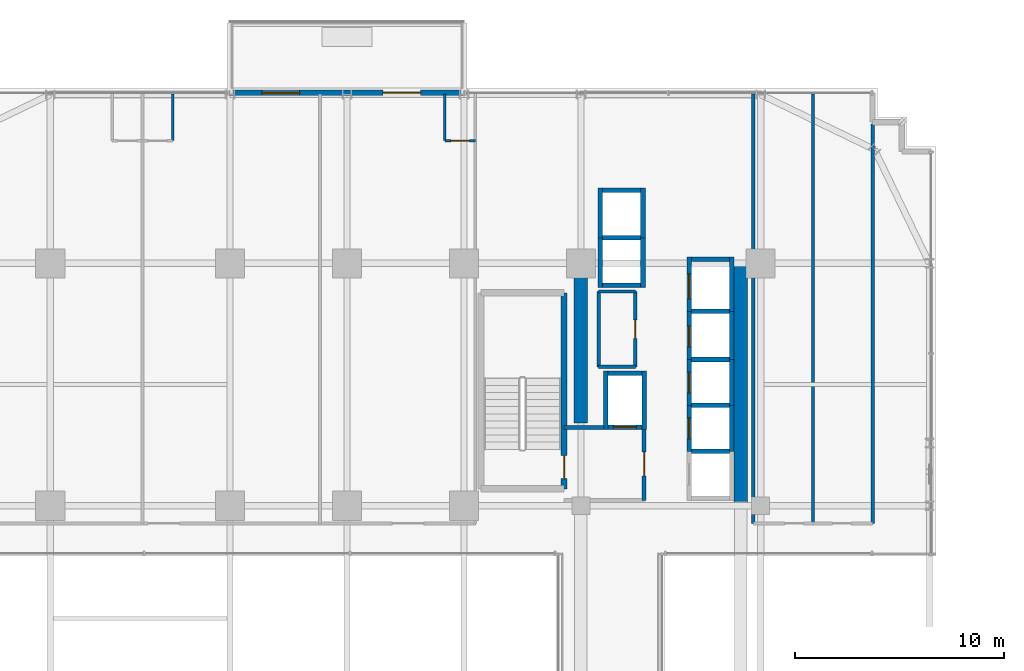
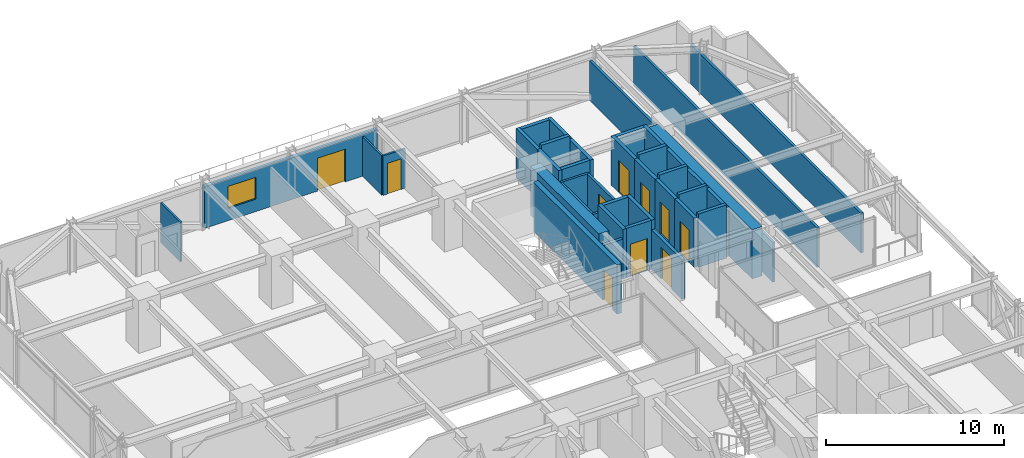
# One storey, part 42 of 47: 40 walls, 10 doors, 1 window, 11 openings.
"""IFC4 building model written with IfcOpenShell, lengths in metres."""

from ifc_helpers import new_model, si_unit, direction, frame, frame_2d, origin, place, context, subcontext, project, spatial, rectangle, extrude, source, transform, mapped, material, layer, layer_set, type_object, element, fill, save


model = new_model("IFC4")

# Units and contexts
model_context = context("Model", 3, precision=1e-05, world=origin(), true_north=direction((0.0, 1.0)))
body_context = subcontext(model_context, "Body", "Model", "MODEL_VIEW")
ifc_project = project(units=[si_unit("LENGTHUNIT", "METRE"), si_unit("AREAUNIT", "SQUARE_METRE"), si_unit("VOLUMEUNIT", "CUBIC_METRE"), si_unit("PLANEANGLEUNIT", "RADIAN"), si_unit("MASSUNIT", "GRAM", prefix="KILO")], contexts=[model_context])

# Site, building, storey
site_placement = place(None, origin())
site = spatial("IfcSite", under=ifc_project, at=site_placement, CompositionType="ELEMENT")
building_placement = place(site_placement, origin())
building = spatial("IfcBuilding", under=site, at=building_placement, Name="Nahalor Promenade Grand Hotel", CompositionType="ELEMENT")
storey_placement = place(building_placement, frame((0.0, 0.0, 68.89990234375)))
storey = spatial("IfcBuildingStorey", under=building, at=storey_placement, Name="L16", CompositionType="ELEMENT", Elevation=68.89990234375)

# Walls
ifc_material_1 = material(Name="Concrete B-60 (C50/60)", Category="concrete")
ifc_layer_1 = layer(ifc_material_1, 0.64990234375)
ifc_layer_set_1 = layer_set([ifc_layer_1], Name="Concrete B-60 (C50/60)")
wall_type_1 = type_object("IfcWallType", Name="Wall-CoreShear-650", PredefinedType="SHEAR", material=ifc_layer_set_1)
shared_shape_1 = source(origin(), body_context, "Body", "SweptSolid", [
    extrude(rectangle(XDim=7.64990234375, YDim=0.64990234375, at=frame_2d((3.824951171875, 0.0))), origin(), (0.0, 0.0, 1.0), 3.3701171875),
])
wall_1_placement = place(storey_placement, frame((8.39990234375, 9.35009765625, 0.0), z_axis=(0.0, 0.0, 1.0), x_axis=(0.0, 1.0, 0.0)))
element("IfcWall", 1, at=wall_1_placement, inside=storey, type_object=wall_type_1, Name="CWALL-L16-NW", PredefinedType="SHEAR", context=body_context, shape_type="MappedRepresentation", body=[
    mapped(shared_shape_1, transform((0.0, 0.0, 0.0), scale=1.0)),
])
shared_shape_2 = source(origin(), body_context, "Body", "SweptSolid", [
    extrude(rectangle(XDim=11.60009765625, YDim=0.64990234375, at=frame_2d((5.800048828125, 0.0))), origin(), (0.0, 0.0, 1.0), 3.3701171875),
])
wall_2_placement = place(storey_placement, frame((16.050048828125, 5.39990234375, 0.0), z_axis=(0.0, 0.0, 1.0), x_axis=(0.0, 1.0, 0.0)))
element("IfcWall", 2, at=wall_2_placement, inside=storey, type_object=wall_type_1, Name="CWALL-L16-NE", PredefinedType="SHEAR", context=body_context, shape_type="MappedRepresentation", body=[
    mapped(shared_shape_2, transform((0.0, 0.0, 0.0), scale=1.0)),
])

# Wall, opening, door
ifc_material_2 = material(Name="Concrete B-50 (C40/50)", Category="concrete")
ifc_layer_2 = layer(ifc_material_2, 0.300048828125)
ifc_layer_set_2 = layer_set([ifc_layer_2], Name="Concrete B-50 (C40/50)")
wall_type_2 = type_object("IfcWallType", Name="Wall-ShaftShear-300", PredefinedType="SHEAR", material=ifc_layer_set_2)
shared_shape_3 = source(origin(), body_context, "Body", "SweptSolid", [
    extrude(rectangle(XDim=9.380126953125, YDim=0.300048828125, at=frame_2d((4.68994140625, 0.0))), origin(), (0.0, 0.0, 1.0), 3.3701171875),
])
wall_3_placement = place(storey_placement, frame((7.590087890625, 6.2099609375, 0.0), z_axis=(0.0, 0.0, 1.0), x_axis=(0.0, 1.0, 0.0)))
wall_3 = element("IfcWall", 3, at=wall_3_placement, inside=storey, type_object=wall_type_2, Name="L16 Exit Stair ST1 Shaft Wall E", PredefinedType="SHEAR", context=body_context, shape_type="MappedRepresentation", body=[
    mapped(shared_shape_3, transform((0.0, 0.0, 0.0), scale=1.0)),
])
opening_1_placement = place(wall_3_placement, frame((0.489990234375, 0.0, 0.0)))
opening_1 = element("IfcOpeningElement", 4, at=opening_1_placement, cuts=wall_3, Name="Opening D-ST1", PredefinedType="OPENING", context=body_context, shape_type="SweptSolid", body=[
    extrude(rectangle(XDim=1.10009765625, YDim=2.14990234375, at=frame_2d((0.550048828125, 1.074951171875))), frame((0.0, 0.159912109375, 0.0), z_axis=(0.0, -1.0, 0.0), x_axis=(1.0, 0.0, 0.0)), (0.0, 0.0, 1.0), 0.320068359375),
])
ifc_material_3 = material(Name="Steel S355JR", Category="steel")
door_type_1 = type_object("IfcDoorType", Name="Door-StairFire-1100", OperationType="NOTDEFINED", PredefinedType="DOOR", material=ifc_material_3)
shared_shape_4 = source(origin(), body_context, "Body", "SweptSolid", [
    extrude(rectangle(XDim=1.10009765625, YDim=2.14990234375, at=frame_2d((0.550048828125, 1.074951171875))), frame((0.0, 0.02490234375, 0.0), z_axis=(0.0, -1.0, 0.0), x_axis=(1.0, 0.0, 0.0)), (0.0, 0.0, 1.0), 0.050048828125),
])
door_1_placement = place(opening_1_placement, origin())
door_1 = element("IfcDoor", 5, at=door_1_placement, inside=storey, type_object=door_type_1, Name="DR-STAIR-ST1-L16", OperationType="SINGLE_SWING_LEFT", OverallHeight=2.14990234375, OverallWidth=1.10009765625, PredefinedType="DOOR", context=body_context, shape_type="MappedRepresentation", body=[
    mapped(shared_shape_4, transform((0.0, 0.0, 0.0), scale=1.0)),
])
fill(opening_1, door_1)

# Walls
ifc_layer_3 = layer(ifc_material_2, 0.219970703125)
ifc_layer_set_3 = layer_set([ifc_layer_3], Name="Concrete B-50 (C40/50)")
wall_type_3 = type_object("IfcWallType", Name="Wall-LiftShaft-220", PredefinedType="SHEAR", material=ifc_layer_set_3)
shared_shape_5 = source(origin(), body_context, "Body", "SweptSolid", [
    extrude(rectangle(XDim=1.820068359375, YDim=0.219970703125, at=frame_2d((0.91015625, 0.0))), origin(), (0.0, 0.0, 1.0), 3.3701171875),
])
for number, where, z_axis, x_axis, name in (
    (6, (9.43994140625, 15.949951171875, 0.0), (0.0, 0.0, 1.0), (1.0, 0.0, 0.0), "L16 Lift OB1 Hoistway Wall S"),
    (7, (9.43994140625, 20.5, 0.0), (0.0, 0.0, 1.0), (1.0, 0.0, 0.0), "L16 Lift OB2 Hoistway Wall N"),
    (8, (13.68994140625, 17.199951171875, 0.0), (0.0, 0.0, 1.0), (1.0, 0.0, 0.0), "L16 Lift SV1 Hoistway Wall N"),
):
    element("IfcWall", number, at=place(storey_placement, frame(where, z_axis=z_axis, x_axis=x_axis)), inside=storey, type_object=wall_type_3, Name=name, PredefinedType="SHEAR", context=body_context, shape_type="MappedRepresentation", body=[
        mapped(shared_shape_5, transform((0.0, 0.0, 0.0), scale=1.0)),
    ])
shared_shape_6 = source(origin(), body_context, "Body", "SweptSolid", [
    extrude(rectangle(XDim=1.820068359375, YDim=0.219970703125, at=frame_2d((0.91015625, 0.0))), origin(), (0.0, 0.0, 1.0), 3.650146484375),
])
for number, where, z_axis, x_axis, name in (
    (9, (13.68994140625, 8.0, 0.0), (0.0, 0.0, 1.0), (1.0, 0.0, 0.0), "L16 Lift PL1 Hoistway Wall N"),
    (10, (13.68994140625, 10.199951171875, 0.0), (0.0, 0.0, 1.0), (1.0, 0.0, 0.0), "L16 Lift PL2 Hoistway Wall N"),
    (11, (13.68994140625, 12.39990234375, 0.0), (0.0, 0.0, 1.0), (1.0, 0.0, 0.0), "L16 Lift PL3 Hoistway Wall N"),
    (12, (13.68994140625, 14.699951171875, 0.0), (0.0, 0.0, 1.0), (1.0, 0.0, 0.0), "L16 Lift PL4 Hoistway Wall N"),
    (13, (9.43994140625, 18.22509765625, 0.0), (0.0, 0.0, 1.0), (1.0, 0.0, 0.0), "L16 Lift OB1 Hoistway Wall N"),
):
    element("IfcWall", number, at=place(storey_placement, frame(where, z_axis=z_axis, x_axis=x_axis)), inside=storey, type_object=wall_type_3, Name=name, PredefinedType="SHEAR", context=body_context, shape_type="MappedRepresentation", body=[
        mapped(shared_shape_6, transform((0.0, 0.0, 0.0), scale=1.0)),
    ])

# Wall, opening, door
shared_shape_7 = source(origin(), body_context, "Body", "SweptSolid", [
    extrude(rectangle(XDim=2.199951171875, YDim=0.219970703125, at=frame_2d((1.10009765625, 0.0))), origin(), (0.0, 0.0, 1.0), 3.3701171875),
])
wall_4_placement = place(storey_placement, frame((13.580078125, 8.0, 0.0), z_axis=(0.0, 0.0, 1.0), x_axis=(0.0, 1.0, 0.0)))
wall_4 = element("IfcWall", 14, at=wall_4_placement, inside=storey, type_object=wall_type_3, Name="L16 Lift PL2 Hoistway Wall W", PredefinedType="SHEAR", context=body_context, shape_type="MappedRepresentation", body=[
    mapped(shared_shape_7, transform((0.0, 0.0, 0.0), scale=1.0)),
])
opening_2_placement = place(wall_4_placement, frame((0.60009765625, 0.0, 0.0)))
opening_2 = element("IfcOpeningElement", 15, at=opening_2_placement, cuts=wall_4, Name="Opening LD-01", PredefinedType="OPENING", context=body_context, shape_type="SweptSolid", body=[
    extrude(rectangle(XDim=1.0, YDim=2.199951171875, at=frame_2d((0.5, 1.10009765625))), frame((0.0, 0.119873046875, 0.0), z_axis=(0.0, -1.0, 0.0), x_axis=(1.0, 0.0, 0.0)), (0.0, 0.0, 1.0), 0.239990234375),
])
door_type_2 = type_object("IfcDoorType", Name="Door-LiftLanding-1000", OperationType="DOUBLE_DOOR_SLIDING", PredefinedType="DOOR", material=ifc_material_3)
shared_shape_8 = source(origin(), body_context, "Body", "SweptSolid", [
    extrude(rectangle(XDim=1.0, YDim=2.199951171875, at=frame_2d((0.5, 1.10009765625))), frame((0.0, 0.02490234375, 0.0), z_axis=(0.0, -1.0, 0.0), x_axis=(1.0, 0.0, 0.0)), (0.0, 0.0, 1.0), 0.050048828125),
])
door_2_placement = place(opening_2_placement, origin())
door_2 = element("IfcDoor", 16, at=door_2_placement, inside=storey, type_object=door_type_2, Name="DR-LIFT-PL2-L16", OperationType="DOUBLE_DOOR_SLIDING", OverallHeight=2.199951171875, OverallWidth=1.0, PredefinedType="DOOR", context=body_context, shape_type="MappedRepresentation", body=[
    mapped(shared_shape_8, transform((0.0, 0.0, 0.0), scale=1.0)),
])
fill(opening_2, door_2)

# Wall
wall_5_placement = place(storey_placement, frame((15.6201171875, 8.0, 0.0), z_axis=(0.0, 0.0, 1.0), x_axis=(0.0, 1.0, 0.0)))
element("IfcWall", 17, at=wall_5_placement, inside=storey, type_object=wall_type_3, Name="L16 Lift PL2 Hoistway Wall E", PredefinedType="SHEAR", context=body_context, shape_type="MappedRepresentation", body=[
    mapped(shared_shape_7, transform((0.0, 0.0, 0.0), scale=1.0)),
])

# Wall, opening, door
wall_6_placement = place(storey_placement, frame((13.580078125, 10.199951171875, 0.0), z_axis=(0.0, 0.0, 1.0), x_axis=(0.0, 1.0, 0.0)))
wall_6 = element("IfcWall", 18, at=wall_6_placement, inside=storey, type_object=wall_type_3, Name="L16 Lift PL3 Hoistway Wall W", PredefinedType="SHEAR", context=body_context, shape_type="MappedRepresentation", body=[
    mapped(shared_shape_7, transform((0.0, 0.0, 0.0), scale=1.0)),
])
opening_3_placement = place(wall_6_placement, frame((0.60009765625, 0.0, 0.0)))
opening_3 = element("IfcOpeningElement", 19, at=opening_3_placement, cuts=wall_6, Name="Opening LD-01", PredefinedType="OPENING", context=body_context, shape_type="SweptSolid", body=[
    extrude(rectangle(XDim=1.0, YDim=2.199951171875, at=frame_2d((0.5, 1.10009765625))), frame((0.0, 0.119873046875, 0.0), z_axis=(0.0, -1.0, 0.0), x_axis=(1.0, 0.0, 0.0)), (0.0, 0.0, 1.0), 0.239990234375),
])
door_3_placement = place(opening_3_placement, origin())
door_3 = element("IfcDoor", 20, at=door_3_placement, inside=storey, type_object=door_type_2, Name="DR-LIFT-PL3-L16", OperationType="DOUBLE_DOOR_SLIDING", OverallHeight=2.199951171875, OverallWidth=1.0, PredefinedType="DOOR", context=body_context, shape_type="MappedRepresentation", body=[
    mapped(shared_shape_8, transform((0.0, 0.0, 0.0), scale=1.0)),
])
fill(opening_3, door_3)

# Wall
wall_7_placement = place(storey_placement, frame((15.6201171875, 10.199951171875, 0.0), z_axis=(0.0, 0.0, 1.0), x_axis=(0.0, 1.0, 0.0)))
element("IfcWall", 21, at=wall_7_placement, inside=storey, type_object=wall_type_3, Name="L16 Lift PL3 Hoistway Wall E", PredefinedType="SHEAR", context=body_context, shape_type="MappedRepresentation", body=[
    mapped(shared_shape_7, transform((0.0, 0.0, 0.0), scale=1.0)),
])

# Wall, opening, door
shared_shape_9 = source(origin(), body_context, "Body", "SweptSolid", [
    extrude(rectangle(XDim=2.300048828125, YDim=0.219970703125, at=frame_2d((1.14990234375, 0.0))), origin(), (0.0, 0.0, 1.0), 3.3701171875),
])
wall_8_placement = place(storey_placement, frame((13.580078125, 12.39990234375, 0.0), z_axis=(0.0, 0.0, 1.0), x_axis=(0.0, 1.0, 0.0)))
wall_8 = element("IfcWall", 22, at=wall_8_placement, inside=storey, type_object=wall_type_3, Name="L16 Lift PL4 Hoistway Wall W", PredefinedType="SHEAR", context=body_context, shape_type="MappedRepresentation", body=[
    mapped(shared_shape_9, transform((0.0, 0.0, 0.0), scale=1.0)),
])
opening_4_placement = place(wall_8_placement, frame((0.60009765625, 0.0, 0.0)))
opening_4 = element("IfcOpeningElement", 23, at=opening_4_placement, cuts=wall_8, Name="Opening LD-01", PredefinedType="OPENING", context=body_context, shape_type="SweptSolid", body=[
    extrude(rectangle(XDim=1.0, YDim=2.199951171875, at=frame_2d((0.5, 1.10009765625))), frame((0.0, 0.119873046875, 0.0), z_axis=(0.0, -1.0, 0.0), x_axis=(1.0, 0.0, 0.0)), (0.0, 0.0, 1.0), 0.239990234375),
])
door_4_placement = place(opening_4_placement, origin())
door_4 = element("IfcDoor", 24, at=door_4_placement, inside=storey, type_object=door_type_2, Name="DR-LIFT-PL4-L16", OperationType="DOUBLE_DOOR_SLIDING", OverallHeight=2.199951171875, OverallWidth=1.0, PredefinedType="DOOR", context=body_context, shape_type="MappedRepresentation", body=[
    mapped(shared_shape_8, transform((0.0, 0.0, 0.0), scale=1.0)),
])
fill(opening_4, door_4)

# Walls
wall_9_placement = place(storey_placement, frame((15.6201171875, 12.39990234375, 0.0), z_axis=(0.0, 0.0, 1.0), x_axis=(0.0, 1.0, 0.0)))
element("IfcWall", 25, at=wall_9_placement, inside=storey, type_object=wall_type_3, Name="L16 Lift PL4 Hoistway Wall E", PredefinedType="SHEAR", context=body_context, shape_type="MappedRepresentation", body=[
    mapped(shared_shape_9, transform((0.0, 0.0, 0.0), scale=1.0)),
])
shared_shape_10 = source(origin(), body_context, "Body", "SweptSolid", [
    extrude(rectangle(XDim=2.385009765625, YDim=0.219970703125, at=frame_2d((1.1923828125, 0.0))), origin(), (0.0, 0.0, 1.0), 3.3701171875),
])
for number, where, z_axis, x_axis, name in (
    (26, (9.330078125, 15.840087890625, 0.0), (0.0, 0.0, 1.0), (0.0, 1.0, 0.0), "L16 Lift OB1 Hoistway Wall W"),
    (27, (11.3701171875, 15.840087890625, 0.0), (0.0, 0.0, 1.0), (0.0, 1.0, 0.0), "L16 Lift OB1 Hoistway Wall E"),
    (28, (9.330078125, 18.22509765625, 0.0), (0.0, 0.0, 1.0), (0.0, 1.0, 0.0), "L16 Lift OB2 Hoistway Wall W"),
    (29, (11.3701171875, 18.22509765625, 0.0), (0.0, 0.0, 1.0), (0.0, 1.0, 0.0), "L16 Lift OB2 Hoistway Wall E"),
):
    element("IfcWall", number, at=place(storey_placement, frame(where, z_axis=z_axis, x_axis=x_axis)), inside=storey, type_object=wall_type_3, Name=name, PredefinedType="SHEAR", context=body_context, shape_type="MappedRepresentation", body=[
        mapped(shared_shape_10, transform((0.0, 0.0, 0.0), scale=1.0)),
    ])
shared_shape_11 = source(origin(), body_context, "Body", "SweptSolid", [
    extrude(rectangle(XDim=2.820068359375, YDim=0.219970703125, at=frame_2d((1.41015625, 0.0))), origin(), (0.0, 0.0, 1.0), 3.3701171875),
])
for number, where, z_axis, x_axis, name in (
    (30, (9.580078125, 9.0400390625, 0.0), (0.0, 0.0, 1.0), (0.0, 1.0, 0.0), "L16 Lift FL1 Hoistway Wall W"),
    (31, (11.419921875, 9.0400390625, 0.0), (0.0, 0.0, 1.0), (0.0, 1.0, 0.0), "L16 Lift FL1 Hoistway Wall E"),
):
    element("IfcWall", number, at=place(storey_placement, frame(where, z_axis=z_axis, x_axis=x_axis)), inside=storey, type_object=wall_type_3, Name=name, PredefinedType="SHEAR", context=body_context, shape_type="MappedRepresentation", body=[
        mapped(shared_shape_11, transform((0.0, 0.0, 0.0), scale=1.0)),
    ])

# Wall, opening, door
shared_shape_12 = source(origin(), body_context, "Body", "SweptSolid", [
    extrude(rectangle(XDim=1.6201171875, YDim=0.219970703125, at=frame_2d((0.81005859375, 0.0))), origin(), (0.0, 0.0, 1.0), 3.3701171875),
])
wall_10_placement = place(storey_placement, frame((9.68994140625, 9.14990234375, 0.0), z_axis=(0.0, 0.0, 1.0), x_axis=(1.0, 0.0, 0.0)))
wall_10 = element("IfcWall", 32, at=wall_10_placement, inside=storey, type_object=wall_type_3, Name="L16 Lift FL1 Hoistway Wall S", PredefinedType="SHEAR", context=body_context, shape_type="MappedRepresentation", body=[
    mapped(shared_shape_12, transform((0.0, 0.0, 0.0), scale=1.0)),
])
opening_5_placement = place(wall_10_placement, frame((0.260009765625, 0.0, 0.0)))
opening_5 = element("IfcOpeningElement", 33, at=opening_5_placement, cuts=wall_10, Name="Opening LD-02", PredefinedType="OPENING", context=body_context, shape_type="SweptSolid", body=[
    extrude(rectangle(XDim=1.10009765625, YDim=2.199951171875, at=frame_2d((0.550048828125, 1.10009765625))), frame((0.0, 0.119873046875, 0.0), z_axis=(0.0, -1.0, 0.0), x_axis=(1.0, 0.0, 0.0)), (0.0, 0.0, 1.0), 0.239990234375),
])
door_type_3 = type_object("IfcDoorType", Name="Door-LiftFF-1100", OperationType="DOUBLE_DOOR_SLIDING", PredefinedType="DOOR", material=ifc_material_3)
shared_shape_13 = source(origin(), body_context, "Body", "SweptSolid", [
    extrude(rectangle(XDim=1.10009765625, YDim=2.199951171875, at=frame_2d((0.550048828125, 1.10009765625))), frame((0.0, 0.02490234375, 0.0), z_axis=(0.0, -1.0, 0.0), x_axis=(1.0, 0.0, 0.0)), (0.0, 0.0, 1.0), 0.050048828125),
])
door_5_placement = place(opening_5_placement, frame((1.10009765625, 0.0, 0.0), z_axis=(0.0, 0.0, 1.0), x_axis=(-1.0, 0.0, 0.0)))
door_5 = element("IfcDoor", 34, at=door_5_placement, inside=storey, type_object=door_type_3, Name="DR-LIFT-FL1-L16", OperationType="DOUBLE_DOOR_SLIDING", OverallHeight=2.199951171875, OverallWidth=1.10009765625, PredefinedType="DOOR", context=body_context, shape_type="MappedRepresentation", body=[
    mapped(shared_shape_13, transform((0.0, 0.0, 0.0), scale=1.0)),
])
fill(opening_5, door_5)

# Wall
wall_11_placement = place(storey_placement, frame((9.68994140625, 11.75, 0.0), z_axis=(0.0, 0.0, 1.0), x_axis=(1.0, 0.0, 0.0)))
element("IfcWall", 35, at=wall_11_placement, inside=storey, type_object=wall_type_3, Name="L16 Lift FL1 Hoistway Wall N", PredefinedType="SHEAR", context=body_context, shape_type="MappedRepresentation", body=[
    mapped(shared_shape_12, transform((0.0, 0.0, 0.0), scale=1.0)),
])

# Wall, opening, door
shared_shape_14 = source(origin(), body_context, "Body", "SweptSolid", [
    extrude(rectangle(XDim=2.610107421875, YDim=0.219970703125, at=frame_2d((1.30517578125, 0.0))), origin(), (0.0, 0.0, 1.0), 3.3701171875),
])
wall_12_placement = place(storey_placement, frame((13.580078125, 14.699951171875, 0.0), z_axis=(0.0, 0.0, 1.0), x_axis=(0.0, 1.0, 0.0)))
wall_12 = element("IfcWall", 36, at=wall_12_placement, inside=storey, type_object=wall_type_3, Name="L16 Lift SV1 Hoistway Wall W", PredefinedType="SHEAR", context=body_context, shape_type="MappedRepresentation", body=[
    mapped(shared_shape_14, transform((0.0, 0.0, 0.0), scale=1.0)),
])
opening_6_placement = place(wall_12_placement, frame((0.60009765625, 0.0, 0.0)))
opening_6 = element("IfcOpeningElement", 37, at=opening_6_placement, cuts=wall_12, Name="Opening LD-03", PredefinedType="OPENING", context=body_context, shape_type="SweptSolid", body=[
    extrude(rectangle(XDim=1.199951171875, YDim=2.199951171875, at=frame_2d((0.60009765625, 1.10009765625))), frame((0.0, 0.119873046875, 0.0), z_axis=(0.0, -1.0, 0.0), x_axis=(1.0, 0.0, 0.0)), (0.0, 0.0, 1.0), 0.239990234375),
])
door_type_4 = type_object("IfcDoorType", Name="Door-LiftService-1200", OperationType="DOUBLE_DOOR_SLIDING", PredefinedType="DOOR", material=ifc_material_3)
shared_shape_15 = source(origin(), body_context, "Body", "SweptSolid", [
    extrude(rectangle(XDim=1.199951171875, YDim=2.199951171875, at=frame_2d((0.60009765625, 1.10009765625))), frame((0.0, 0.02490234375, 0.0), z_axis=(0.0, -1.0, 0.0), x_axis=(1.0, 0.0, 0.0)), (0.0, 0.0, 1.0), 0.050048828125),
])
door_6_placement = place(opening_6_placement, origin())
door_6 = element("IfcDoor", 38, at=door_6_placement, inside=storey, type_object=door_type_4, Name="DR-LIFT-SV1-L16", OperationType="DOUBLE_DOOR_SLIDING", OverallHeight=2.199951171875, OverallWidth=1.199951171875, PredefinedType="DOOR", context=body_context, shape_type="MappedRepresentation", body=[
    mapped(shared_shape_15, transform((0.0, 0.0, 0.0), scale=1.0)),
])
fill(opening_6, door_6)

# Wall
wall_13_placement = place(storey_placement, frame((15.6201171875, 14.699951171875, 0.0), z_axis=(0.0, 0.0, 1.0), x_axis=(0.0, 1.0, 0.0)))
element("IfcWall", 39, at=wall_13_placement, inside=storey, type_object=wall_type_3, Name="L16 Lift SV1 Hoistway Wall E", PredefinedType="SHEAR", context=body_context, shape_type="MappedRepresentation", body=[
    mapped(shared_shape_14, transform((0.0, 0.0, 0.0), scale=1.0)),
])

# Wall, openings, door, window
ifc_material_4 = material(Name="Concrete B-40 (C32/40)", Category="concrete")
ifc_layer_4 = layer(ifc_material_4, 0.260009765625)
ifc_layer_set_4 = layer_set([ifc_layer_4], Name="Concrete B-40 (C32/40)")
wall_type_4 = type_object("IfcWallType", Name="Wall-BalconyWall-260", PredefinedType="STANDARD", material=ifc_layer_set_4)
shared_shape_16 = source(origin(), body_context, "Body", "SweptSolid", [
    extrude(rectangle(XDim=11.199951171875, YDim=0.260009765625, at=frame_2d((5.60009765625, 0.0))), origin(), (0.0, 0.0, 1.0), 2.85009765625),
])
wall_14_placement = place(storey_placement, frame((-8.39990234375, 25.159912109375, 0.0), z_axis=(0.0, 0.0, 1.0), x_axis=(1.0, 0.0, 0.0)))
wall_14 = element("IfcWall", 40, at=wall_14_placement, inside=storey, type_object=wall_type_4, Name="W-L16-BALC-N-2", PredefinedType="STANDARD", context=body_context, shape_type="MappedRepresentation", body=[
    mapped(shared_shape_16, transform((0.0, 0.0, 0.0), scale=1.0)),
])
opening_7_placement = place(wall_14_placement, frame((7.320068359375, 0.0, 0.0)))
opening_7 = element("IfcOpeningElement", 41, at=opening_7_placement, cuts=wall_14, Name="Opening D-BC1", PredefinedType="OPENING", context=body_context, shape_type="SweptSolid", body=[
    extrude(rectangle(XDim=1.800048828125, YDim=2.25, at=frame_2d((0.89990234375, 1.125))), frame((0.0, 0.139892578125, 0.0), z_axis=(0.0, -1.0, 0.0), x_axis=(1.0, 0.0, 0.0)), (0.0, 0.0, 1.0), 0.280029296875),
])
opening_8_placement = place(wall_14_placement, frame((1.529052734375, 0.0, 0.85009765625)))
opening_8 = element("IfcOpeningElement", 42, at=opening_8_placement, cuts=wall_14, Name="Opening WN-01", PredefinedType="OPENING", context=body_context, shape_type="SweptSolid", body=[
    extrude(rectangle(XDim=1.800048828125, YDim=1.5, at=frame_2d((0.89990234375, 0.75))), frame((0.0, 0.139892578125, 0.0), z_axis=(0.0, -1.0, 0.0), x_axis=(1.0, 0.0, 0.0)), (0.0, 0.0, 1.0), 0.280029296875),
])
ifc_material_5 = material(Name="Anodised Bronze Aluminium EN AW-6063 T6", Category="aluminium")
door_type_5 = type_object("IfcDoorType", Name="Door-BalconySlide-1800", OperationType="DOUBLE_DOOR_SLIDING", PredefinedType="DOOR", material=ifc_material_5)
shared_shape_17 = source(origin(), body_context, "Body", "SweptSolid", [
    extrude(rectangle(XDim=1.800048828125, YDim=2.25, at=frame_2d((0.89990234375, 1.125))), frame((0.0, 0.02490234375, 0.0), z_axis=(0.0, -1.0, 0.0), x_axis=(1.0, 0.0, 0.0)), (0.0, 0.0, 1.0), 0.050048828125),
])
door_7_placement = place(opening_7_placement, origin())
door_7 = element("IfcDoor", 43, at=door_7_placement, inside=storey, type_object=door_type_5, Name="DR-L16-BALC-N-2", OperationType="DOUBLE_DOOR_SLIDING", OverallHeight=2.25, OverallWidth=1.800048828125, PredefinedType="DOOR", context=body_context, shape_type="MappedRepresentation", body=[
    mapped(shared_shape_17, transform((0.0, 0.0, 0.0), scale=1.0)),
])
fill(opening_7, door_7)
ifc_material_6 = material(Name="Low-E Laminated Solar Glass", Category="glass")
window_type = type_object("IfcWindowType", Name="Win-ChicagoBay-1800x1500", PartitioningType="SINGLE_PANEL", PredefinedType="WINDOW", material=ifc_material_6)
shared_shape_18 = source(origin(), body_context, "Body", "SweptSolid", [
    extrude(rectangle(XDim=1.800048828125, YDim=1.5, at=frame_2d((0.89990234375, 0.75))), frame((0.0, 0.030029296875, 0.0), z_axis=(0.0, -1.0, 0.0), x_axis=(1.0, 0.0, 0.0)), (0.0, 0.0, 1.0), 0.06005859375),
])
window_placement = place(opening_8_placement, origin())
window = element("IfcWindow", 44, at=window_placement, inside=storey, type_object=window_type, Name="WN-L16-BALC-N-2-1", OverallHeight=1.5, OverallWidth=1.800048828125, PartitioningType="SINGLE_PANEL", PredefinedType="WINDOW", context=body_context, shape_type="MappedRepresentation", body=[
    mapped(shared_shape_18, transform((0.0, 0.0, 0.0), scale=1.0)),
])
fill(opening_8, window)

# Wall
ifc_layer_5 = layer(ifc_material_4, 0.199951171875)
ifc_layer_set_5 = layer_set([ifc_layer_5], Name="Concrete B-40 (C32/40)")
wall_type_5 = type_object("IfcWallType", Name="Wall-PartFire-200", PredefinedType="PARTITIONING", material=ifc_layer_set_5)
shared_shape_19 = source(origin(), body_context, "Body", "SweptSolid", [
    extrude(rectangle(XDim=1.89990234375, YDim=0.199951171875, at=frame_2d((0.949951171875, 0.0))), origin(), (0.0, 0.0, 1.0), 2.710205078125),
])
wall_15_placement = place(storey_placement, frame((7.60009765625, 9.14990234375, 0.0), z_axis=(0.0, 0.0, 1.0), x_axis=(1.0, 0.0, 0.0)))
element("IfcWall", 45, at=wall_15_placement, inside=storey, type_object=wall_type_5, Name="W-L16-FF1-N", PredefinedType="PARTITIONING", context=body_context, shape_type="MappedRepresentation", body=[
    mapped(shared_shape_19, transform((0.0, 0.0, 0.0), scale=1.0)),
])

# Wall, opening, door
shared_shape_20 = source(origin(), body_context, "Body", "SweptSolid", [
    extrude(rectangle(XDim=3.5, YDim=0.199951171875, at=frame_2d((1.75, 0.0))), origin(), (0.0, 0.0, 1.0), 2.710205078125),
])
wall_16_placement = place(storey_placement, frame((11.419921875, 5.64990234375, 0.0), z_axis=(0.0, 0.0, 1.0), x_axis=(0.0, 1.0, 0.0)))
wall_16 = element("IfcWall", 46, at=wall_16_placement, inside=storey, type_object=wall_type_5, Name="W-L16-FF1-E", PredefinedType="PARTITIONING", context=body_context, shape_type="MappedRepresentation", body=[
    mapped(shared_shape_20, transform((0.0, 0.0, 0.0), scale=1.0)),
])
opening_9_placement = place(wall_16_placement, frame((1.175048828125, 0.0, 0.0)))
opening_9 = element("IfcOpeningElement", 47, at=opening_9_placement, cuts=wall_16, Name="Opening D-FF1", PredefinedType="OPENING", context=body_context, shape_type="SweptSolid", body=[
    extrude(rectangle(XDim=1.14990234375, YDim=2.14990234375, at=frame_2d((0.574951171875, 1.074951171875))), frame((0.0, 0.10986328125, 0.0), z_axis=(0.0, -1.0, 0.0), x_axis=(1.0, 0.0, 0.0)), (0.0, 0.0, 1.0), 0.219970703125),
])
door_type_6 = type_object("IfcDoorType", Name="Door-FFLobby-1150", OperationType="NOTDEFINED", PredefinedType="DOOR", material=ifc_material_3)
shared_shape_21 = source(origin(), body_context, "Body", "SweptSolid", [
    extrude(rectangle(XDim=1.14990234375, YDim=2.14990234375, at=frame_2d((0.574951171875, 1.074951171875))), frame((0.0, 0.02490234375, 0.0), z_axis=(0.0, -1.0, 0.0), x_axis=(1.0, 0.0, 0.0)), (0.0, 0.0, 1.0), 0.050048828125),
])
door_8_placement = place(opening_9_placement, frame((1.14990234375, 0.0, 0.0), z_axis=(0.0, 0.0, 1.0), x_axis=(-1.0, 0.0, 0.0)))
door_8 = element("IfcDoor", 48, at=door_8_placement, inside=storey, type_object=door_type_6, Name="DR-L16-FFL1", OperationType="SINGLE_SWING_LEFT", OverallHeight=2.14990234375, OverallWidth=1.14990234375, PredefinedType="DOOR", context=body_context, shape_type="MappedRepresentation", body=[
    mapped(shared_shape_21, transform((0.0, 0.0, 0.0), scale=1.0)),
])
fill(opening_9, door_8)

# Walls
ifc_material_7 = material(Name="Acoustic Mineral Gypsum", Category="gypsum")
ifc_layer_6 = layer(ifc_material_7, 0.14990234375)
ifc_layer_set_6 = layer_set([ifc_layer_6], Name="Acoustic Mineral Gypsum")
wall_type_6 = type_object("IfcWallType", Name="Wall-PartService-150", PredefinedType="PARTITIONING", material=ifc_layer_set_6)
shared_shape_22 = source(origin(), body_context, "Body", "SweptSolid", [
    extrude(rectangle(XDim=1.75, YDim=0.14990234375, at=frame_2d((0.875, 0.0))), origin(), (0.0, 0.0, 1.0), 2.710205078125),
])
for number, where, z_axis, x_axis, name in (
    (49, (9.25, 12.050048828125, 0.0), (0.0, 0.0, 1.0), (1.0, 0.0, 0.0), "W-L16-CK1A-S"),
    (50, (9.25, 15.64990234375, 0.0), (0.0, 0.0, 1.0), (1.0, 0.0, 0.0), "W-L16-CK1A-N"),
):
    element("IfcWall", number, at=place(storey_placement, frame(where, z_axis=z_axis, x_axis=x_axis)), inside=storey, type_object=wall_type_6, Name=name, PredefinedType="PARTITIONING", context=body_context, shape_type="MappedRepresentation", body=[
        mapped(shared_shape_22, transform((0.0, 0.0, 0.0), scale=1.0)),
    ])
ifc_layer_7 = layer(ifc_material_7, 0.159912109375)
ifc_layer_set_7 = layer_set([ifc_layer_7], Name="Acoustic Mineral Gypsum")
wall_type_7 = type_object("IfcWallType", Name="Wall-PartCorridor-160", PredefinedType="PARTITIONING", material=ifc_layer_set_7)
shared_shape_23 = source(origin(), body_context, "Body", "SweptSolid", [
    extrude(rectangle(XDim=20.550048828125, YDim=0.159912109375, at=frame_2d((10.27490234375, 0.0))), origin(), (0.0, 0.0, 1.0), 2.710205078125),
])
for number, where, z_axis, x_axis, name in (
    (51, (16.64990234375, 4.550048828125, 0.0), (0.0, 0.0, 1.0), (0.0, 1.0, 0.0), "W-L16-ENE1-W"),
    (52, (19.5048828125, 4.550048828125, 0.0), (0.0, 0.0, 1.0), (0.0, 1.0, 0.0), "W-L16-ENE1-E"),
):
    element("IfcWall", number, at=place(storey_placement, frame(where, z_axis=z_axis, x_axis=x_axis)), inside=storey, type_object=wall_type_7, Name=name, PredefinedType="PARTITIONING", context=body_context, shape_type="MappedRepresentation", body=[
        mapped(shared_shape_23, transform((0.0, 0.0, 0.0), scale=1.0)),
    ])
shared_shape_24 = source(origin(), body_context, "Body", "SweptSolid", [
    extrude(rectangle(XDim=19.1298828125, YDim=0.159912109375, at=frame_2d((9.56494140625, 0.0))), origin(), (0.0, 0.0, 1.0), 2.710205078125),
])
wall_17_placement = place(storey_placement, frame((22.360107421875, 4.550048828125, 0.0), z_axis=(0.0, 0.0, 1.0), x_axis=(0.0, 1.0, 0.0)))
element("IfcWall", 53, at=wall_17_placement, inside=storey, type_object=wall_type_7, Name="W-L16-ENE2-E", PredefinedType="PARTITIONING", context=body_context, shape_type="MappedRepresentation", body=[
    mapped(shared_shape_24, transform((0.0, 0.0, 0.0), scale=1.0)),
])
ifc_layer_8 = layer(ifc_material_7, 0.1201171875)
ifc_layer_set_8 = layer_set([ifc_layer_8], Name="Acoustic Mineral Gypsum")
wall_type_8 = type_object("IfcWallType", Name="Wall-PartBath-120", PredefinedType="PARTITIONING", material=ifc_layer_set_8)
shared_shape_25 = source(origin(), body_context, "Body", "SweptSolid", [
    extrude(rectangle(XDim=2.22021484375, YDim=0.1201171875, at=frame_2d((1.110107421875, 0.0))), origin(), (0.0, 0.0, 1.0), 2.710205078125),
])
for number, where, z_axis, x_axis, name in (
    (54, (-11.14404296875, 22.8798828125, 0.0), (0.0, 0.0, 1.0), (0.0, 1.0, 0.0), "W-L16-N2-BV"),
    (55, (1.889892578125, 22.8798828125, 0.0), (0.0, 0.0, 1.0), (0.0, 1.0, 0.0), "W-L16-N3-BV"),
):
    element("IfcWall", number, at=place(storey_placement, frame(where, z_axis=z_axis, x_axis=x_axis)), inside=storey, type_object=wall_type_8, Name=name, PredefinedType="PARTITIONING", context=body_context, shape_type="MappedRepresentation", body=[
        mapped(shared_shape_25, transform((0.0, 0.0, 0.0), scale=1.0)),
    ])

# Wall, opening, door
shared_shape_26 = source(origin(), body_context, "Body", "SweptSolid", [
    extrude(rectangle(XDim=1.4501953125, YDim=0.1201171875, at=frame_2d((0.72509765625, 0.0))), origin(), (0.0, 0.0, 1.0), 2.710205078125),
])
wall_18_placement = place(storey_placement, frame((1.889892578125, 22.8798828125, 0.0), z_axis=(0.0, 0.0, 1.0), x_axis=(1.0, 0.0, 0.0)))
wall_18 = element("IfcWall", 56, at=wall_18_placement, inside=storey, type_object=wall_type_8, Name="W-L16-N3-BH", PredefinedType="PARTITIONING", context=body_context, shape_type="MappedRepresentation", body=[
    mapped(shared_shape_26, transform((0.0, 0.0, 0.0), scale=1.0)),
])
opening_10_placement = place(wall_18_placement, frame((0.284912109375, 0.0, 0.0)))
opening_10 = element("IfcOpeningElement", 57, at=opening_10_placement, cuts=wall_18, Name="Opening D-03", PredefinedType="OPENING", context=body_context, shape_type="SweptSolid", body=[
    extrude(rectangle(XDim=0.8798828125, YDim=2.10009765625, at=frame_2d((0.43994140625, 1.050048828125))), frame((0.0, 0.070068359375, 0.0), z_axis=(0.0, -1.0, 0.0), x_axis=(1.0, 0.0, 0.0)), (0.0, 0.0, 1.0), 0.14013671875),
])
ifc_material_8 = material(Name="Fire-Rated Timber Composite", Category="wood")
door_type_7 = type_object("IfcDoorType", Name="Door-BathSwing-880", OperationType="NOTDEFINED", PredefinedType="DOOR", material=ifc_material_8)
shared_shape_27 = source(origin(), body_context, "Body", "SweptSolid", [
    extrude(rectangle(XDim=0.8798828125, YDim=2.10009765625, at=frame_2d((0.43994140625, 1.050048828125))), frame((0.0, 0.02490234375, 0.0), z_axis=(0.0, -1.0, 0.0), x_axis=(1.0, 0.0, 0.0)), (0.0, 0.0, 1.0), 0.050048828125),
])
door_9_placement = place(opening_10_placement, origin())
door_9 = element("IfcDoor", 58, at=door_9_placement, inside=storey, type_object=door_type_7, Name="DR-L16-N3-BATH", OperationType="SINGLE_SWING_RIGHT", OverallHeight=2.10009765625, OverallWidth=0.8798828125, PredefinedType="DOOR", context=body_context, shape_type="MappedRepresentation", body=[
    mapped(shared_shape_27, transform((0.0, 0.0, 0.0), scale=1.0)),
])
fill(opening_10, door_9)

# Wall
shared_shape_28 = source(origin(), body_context, "Body", "SweptSolid", [
    extrude(rectangle(XDim=3.599853515625, YDim=0.14990234375, at=frame_2d((1.7998046875, 0.0))), origin(), (0.0, 0.0, 1.0), 2.710205078125),
])
wall_19_placement = place(storey_placement, frame((9.25, 12.050048828125, 0.0), z_axis=(0.0, 0.0, 1.0), x_axis=(0.0, 1.0, 0.0)))
element("IfcWall", 59, at=wall_19_placement, inside=storey, type_object=wall_type_6, Name="W-L16-CK1A-W", PredefinedType="PARTITIONING", context=body_context, shape_type="MappedRepresentation", body=[
    mapped(shared_shape_28, transform((0.0, 0.0, 0.0), scale=1.0)),
])

# Wall, opening, door
wall_20_placement = place(storey_placement, frame((11.0, 12.050048828125, 0.0), z_axis=(0.0, 0.0, 1.0), x_axis=(0.0, 1.0, 0.0)))
wall_20 = element("IfcWall", 60, at=wall_20_placement, inside=storey, type_object=wall_type_6, Name="W-L16-CK1A-E", PredefinedType="PARTITIONING", context=body_context, shape_type="MappedRepresentation", body=[
    mapped(shared_shape_28, transform((0.0, 0.0, 0.0), scale=1.0)),
])
opening_11_placement = place(wall_20_placement, frame((1.360107421875, 0.0, 0.0)))
opening_11 = element("IfcOpeningElement", 61, at=opening_11_placement, cuts=wall_20, Name="Opening D-03", PredefinedType="OPENING", context=body_context, shape_type="SweptSolid", body=[
    extrude(rectangle(XDim=0.8798828125, YDim=2.10009765625, at=frame_2d((0.43994140625, 1.050048828125))), frame((0.0, 0.0849609375, 0.0), z_axis=(0.0, -1.0, 0.0), x_axis=(1.0, 0.0, 0.0)), (0.0, 0.0, 1.0), 0.169921875),
])
door_10_placement = place(opening_11_placement, origin())
door_10 = element("IfcDoor", 62, at=door_10_placement, inside=storey, type_object=door_type_7, Name="DR-L16-CK1A", OperationType="SINGLE_SWING_LEFT", OverallHeight=2.10009765625, OverallWidth=0.8798828125, PredefinedType="DOOR", context=body_context, shape_type="MappedRepresentation", body=[
    mapped(shared_shape_27, transform((0.0, 0.0, 0.0), scale=1.0)),
])
fill(opening_11, door_10)

save(model, "model.ifc")
